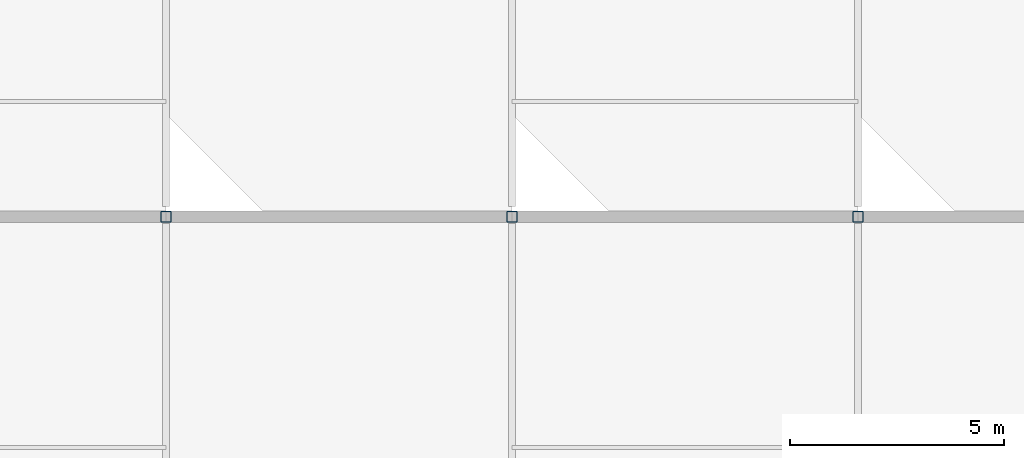
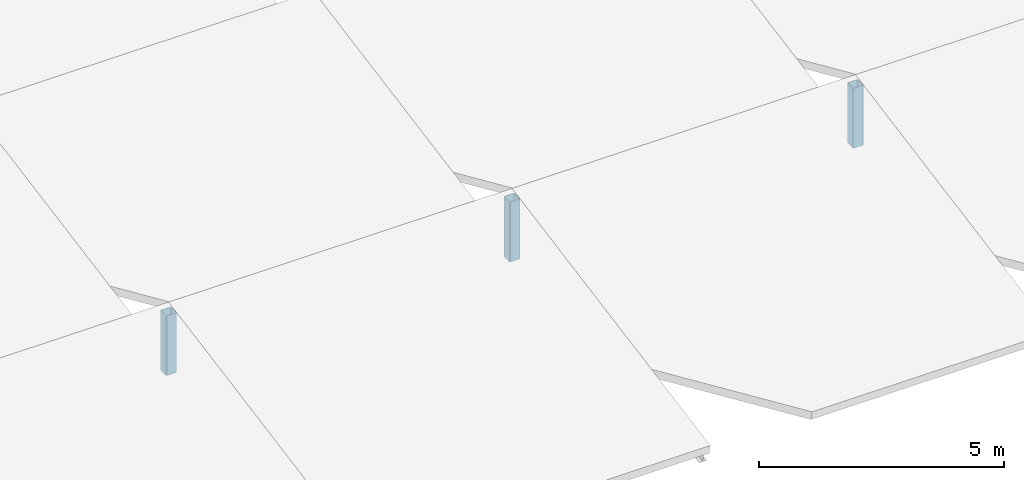
# One storey, part 6 of 33: 3 columns.
"""IFC4 building model written with IfcOpenShell, lengths in metres."""

from ifc_helpers import new_model, si_unit, direction, frame, origin, origin_2d, place, context, subcontext, project, spatial, hollow_rectangle, extrude, material, material_profile, profile_set, type_object, element, save


model = new_model("IFC4")

# Units and contexts
model_context = context("Model", 3, precision=1e-05, world=origin(), true_north=direction((0.0, 1.0)))
body_context = subcontext(model_context, "Body", "Model", "MODEL_VIEW")
ifc_project = project(units=[si_unit("LENGTHUNIT", "METRE"), si_unit("AREAUNIT", "SQUARE_METRE"), si_unit("VOLUMEUNIT", "CUBIC_METRE"), si_unit("PLANEANGLEUNIT", "RADIAN"), si_unit("MASSUNIT", "GRAM", prefix="KILO")], contexts=[model_context])

# Site, building, storey
site_placement = place(None, origin())
site = spatial("IfcSite", under=ifc_project, at=site_placement, CompositionType="ELEMENT")
building_placement = place(site_placement, origin())
building = spatial("IfcBuilding", under=site, at=building_placement, Name="Vaudrelin Polytechnic", CompositionType="ELEMENT")
storey_placement = place(building_placement, frame((0.0, 0.0, 27.3701171875)))
storey = spatial("IfcBuildingStorey", under=building, at=storey_placement, Name="L06", CompositionType="ELEMENT", Elevation=27.3701171875)

# Columns
ifc_material = material(Name="Steel CSA G40.21 350W", Category="steel")
ifc_material_profile = material_profile(ifc_material, hollow_rectangle(XDim=0.25390625, YDim=0.25390625, WallThickness=0.0126953125, InnerFilletRadius=0.0126953125, OuterFilletRadius=0.025390625, at=origin_2d()), Name="HSS254x254x12.7")
ifc_profile_set = profile_set([ifc_material_profile], Name="Steel CSA G40.21 350W")
column_type = type_object("IfcColumnType", Name="COL-C-HSS254", PredefinedType="COLUMN", material=ifc_profile_set)
for number, where, z_axis, x_axis, name in (
    (1, (89.10009765625, 105.300048828125, 0.0), (0.0, 0.0, 1.0), (1.0, 0.0, 0.0), "Sawtooth north clerestory post 11-13"),
    (2, (97.199951171875, 105.300048828125, 0.0), (0.0, 0.0, 1.0), (1.0, 0.0, 0.0), "Sawtooth north clerestory post 12-13"),
    (3, (105.300048828125, 105.300048828125, 0.0), (0.0, 0.0, 1.0), (1.0, 0.0, 0.0), "Sawtooth north clerestory post 13-13"),
):
    element("IfcColumn", number, at=place(storey_placement, frame(where, z_axis=z_axis, x_axis=x_axis)), inside=storey, type_object=column_type, Name=name, PredefinedType="COLUMN", context=body_context, shape_type="SweptSolid", body=[
        extrude(hollow_rectangle(XDim=0.25390625, YDim=0.25390625, WallThickness=0.0126953125, InnerFilletRadius=0.0126953125, OuterFilletRadius=0.025390625, at=origin_2d()), origin(), (0.0, 0.0, 1.0), 1.490966796875),
    ])

save(model, "model.ifc")
